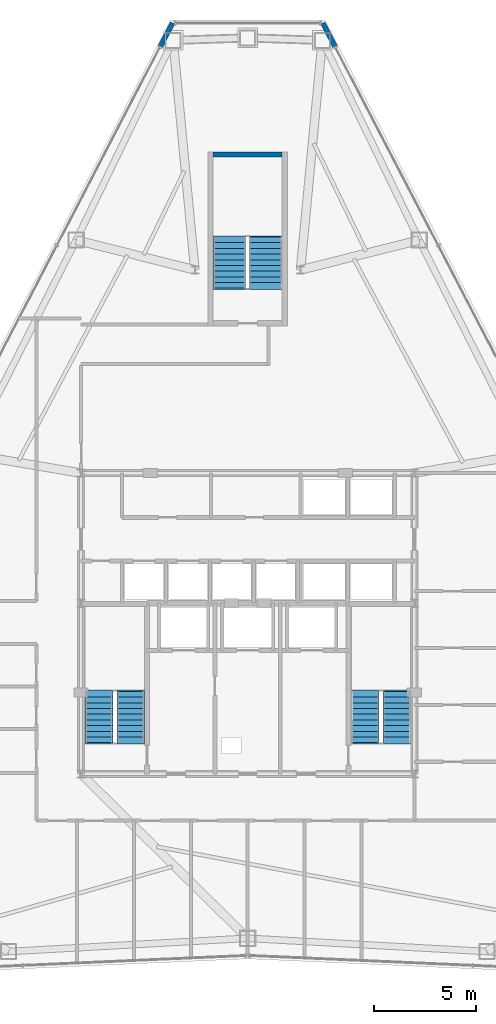
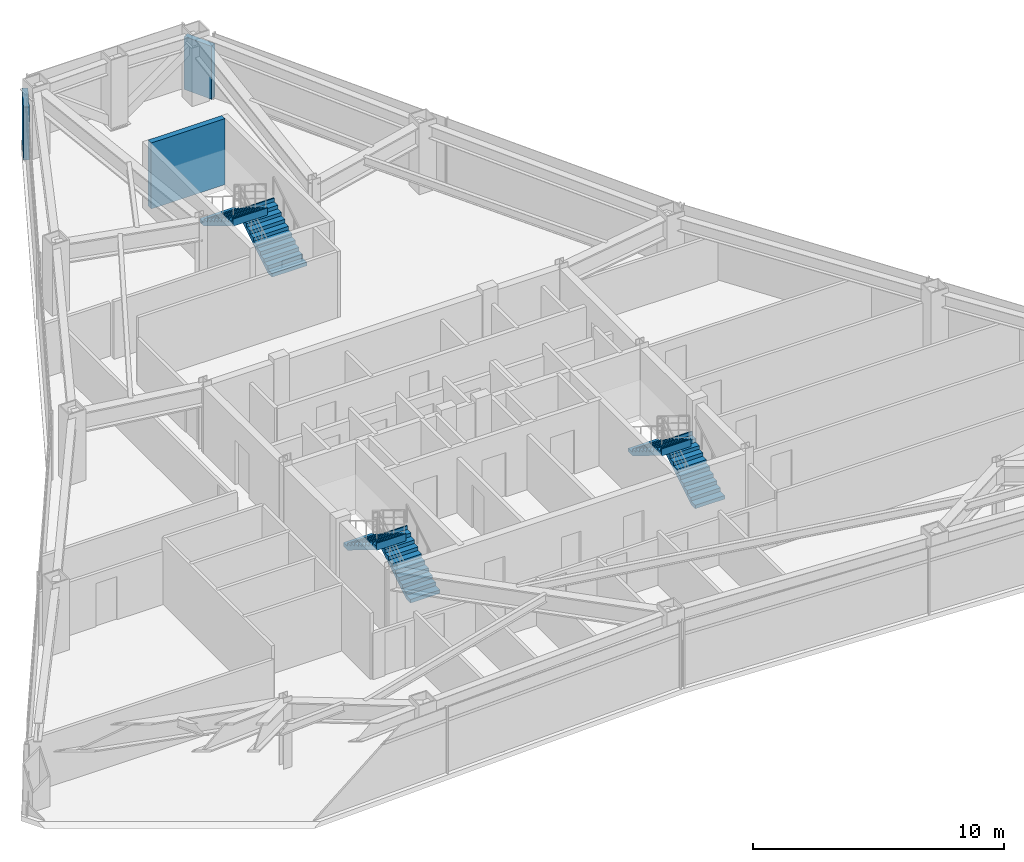
# One storey, part 12 of 13: 6 stair flights, 3 walls, 3 elements without a shape of their own.
"""IFC4 building model written with IfcOpenShell, lengths in metres."""

from ifc_helpers import new_model, si_unit, direction, frame, frame_2d, origin, place, context, subcontext, project, spatial, polyline, rectangle, outline, extrude, material, layer, layer_set, type_object, element, aggregate, save


model = new_model("IFC4")

# Units and contexts
model_context = context("Model", 3, precision=1e-05, world=origin(), true_north=direction((0.0, 1.0)))
body_context = subcontext(model_context, "Body", "Model", "MODEL_VIEW")
ifc_project = project(units=[si_unit("LENGTHUNIT", "METRE"), si_unit("AREAUNIT", "SQUARE_METRE"), si_unit("VOLUMEUNIT", "CUBIC_METRE"), si_unit("PLANEANGLEUNIT", "RADIAN"), si_unit("MASSUNIT", "GRAM", prefix="KILO")], contexts=[model_context])

# Site, building, storey
site_placement = place(None, origin())
site = spatial("IfcSite", under=ifc_project, at=site_placement, CompositionType="ELEMENT")
building_placement = place(site_placement, origin())
building = spatial("IfcBuilding", under=site, at=building_placement, Name="Varakhsha Concourse Tower", CompositionType="ELEMENT")
storey_placement = place(building_placement, frame((0.0, 0.0, 186.14990234375)))
storey = spatial("IfcBuildingStorey", under=building, at=storey_placement, Name="L53", CompositionType="ELEMENT", Elevation=186.14990234375)

# Walls
ifc_material = material(Name="Concrete fc 45 MPa", Category="concrete")
ifc_layer_1 = layer(ifc_material, 0.239990234375, Name="WL-EXT-CRN-240")
ifc_layer_set_1 = layer_set([ifc_layer_1], Name="Concrete fc 45 MPa")
wall_type_1 = type_object("IfcWallType", Name="WL-EXT-CRN-240", PredefinedType="SHEAR", material=ifc_layer_set_1)
for number, where, z_axis, x_axis, name in (
    (1, (36.30078125, 53.345458984375, 0.0), (0.0, 0.0, 1.0), (-0.460997519365, -0.8874014239, 0.0), "L53 Wind-Corner Shoulder Wall F2"),
    (2, (44.2978515625, 52.193115234375, 0.0), (0.0, 0.0, 1.0), (-0.460997519365, 0.8874014239, 0.0), "L53 Wind-Corner Shoulder Wall F9"),
):
    element("IfcWall", number, at=place(storey_placement, frame(where, z_axis=z_axis, x_axis=x_axis)), inside=storey, type_object=wall_type_1, Name=name, PredefinedType="SHEAR", context=body_context, shape_type="SweptSolid", body=[
        extrude(rectangle(XDim=1.298583984375, YDim=0.239990234375, at=frame_2d((0.6494140625, 0.0))), origin(), (0.0, 0.0, 1.0), 2.5830078125),
    ])
ifc_layer_2 = layer(ifc_material, 0.25, Name="WL-STAIR-250")
ifc_layer_set_2 = layer_set([ifc_layer_2], Name="Concrete fc 45 MPa")
wall_type_2 = type_object("IfcWallType", Name="WL-STAIR-250", PredefinedType="SHEAR", material=ifc_layer_set_2)
wall_placement = place(storey_placement, frame((38.300048828125, 46.875, 0.0), z_axis=(0.0, 0.0, 1.0), x_axis=(1.0, 0.0, 0.0)))
element("IfcWall", 3, at=wall_placement, inside=storey, type_object=wall_type_2, Name="L53 Wall SWALL-ST5-N-L53", PredefinedType="SHEAR", context=body_context, shape_type="SweptSolid", body=[
    extrude(rectangle(XDim=3.39990234375, YDim=0.25, at=frame_2d((1.699951171875, 0.0))), origin(), (0.0, 0.0, 1.0), 3.210205078125),
])

# Stair, stair flights
stair_type_1 = type_object("IfcStairType", Name="ST-DOGLEG-1360", PredefinedType="HALF_TURN_STAIR", material=ifc_material)
stair_1_placement = place(storey_placement, origin())
stair_1 = element("IfcStair", 4, at=stair_1_placement, inside=storey, type_object=stair_type_1, Name="L53 Protected Exit Stair ST1", PredefinedType="HALF_TURN_STAIR")
stair_flight_type_1 = type_object("IfcStairFlightType", Name="STF-1360-R1725", PredefinedType="STRAIGHT", material=ifc_material)
stair_flight_1_placement = place(storey_placement, frame((34.239990234375, 17.93994140625, 0.0), z_axis=(0.0, 0.0, 1.0), x_axis=(0.0, 1.0, 0.0)))
stair_flight_1 = element("IfcStairFlight", 5, at=stair_flight_1_placement, type_object=stair_flight_type_1, Name="ST1 flight 1", NumberOfRisers=10, NumberOfTreads=9, PredefinedType="STRAIGHT", RiserHeight=0.1725, TreadLength=0.28, context=body_context, shape_type="SweptSolid", body=[
    extrude(outline(polyline([(-0.06005859375, 0.0), (-0.06005859375, 0.172607421875), (0.0, 0.172607421875), (0.280029296875, 0.172607421875), (0.280029296875, 0.344970703125), (0.56005859375, 0.344970703125), (0.56005859375, 0.517578125), (0.840087890625, 0.517578125), (0.840087890625, 0.68994140625), (1.1201171875, 0.68994140625), (1.1201171875, 0.862548828125), (1.39990234375, 0.862548828125), (1.39990234375, 1.034912109375), (1.679931640625, 1.034912109375), (1.679931640625, 1.20751953125), (1.9599609375, 1.20751953125), (1.9599609375, 1.3798828125), (2.239990234375, 1.3798828125), (2.239990234375, 1.552490234375), (2.52001953125, 1.552490234375), (2.52001953125, 1.72509765625), (2.580078125, 1.72509765625), (2.580078125, 1.37646484375), (2.52001953125, 1.37646484375), (0.285888671875, 0.0), (-0.06005859375, 0.0)])), frame((0.0, 0.68017578125, 0.0), z_axis=(0.0, -1.0, 0.0), x_axis=(1.0, 0.0, 0.0)), (0.0, 0.0, 1.0), 1.360107421875),
])
stair_flight_2_placement = place(storey_placement, frame((32.679931640625, 20.4599609375, 1.72509765625), z_axis=(0.0, 0.0, 1.0), x_axis=(0.0, -1.0, 0.0)))
stair_flight_2 = element("IfcStairFlight", 6, at=stair_flight_2_placement, type_object=stair_flight_type_1, Name="ST1 flight 2", NumberOfRisers=10, NumberOfTreads=9, PredefinedType="STRAIGHT", RiserHeight=0.1725, TreadLength=0.28, context=body_context, shape_type="SweptSolid", body=[
    extrude(outline(polyline([(-0.06005859375, 0.0), (-0.06005859375, 0.172607421875), (0.0, 0.172607421875), (0.280029296875, 0.172607421875), (0.280029296875, 0.344970703125), (0.56005859375, 0.344970703125), (0.56005859375, 0.517578125), (0.840087890625, 0.517578125), (0.840087890625, 0.68994140625), (1.1201171875, 0.68994140625), (1.1201171875, 0.862548828125), (1.39990234375, 0.862548828125), (1.39990234375, 1.034912109375), (1.679931640625, 1.034912109375), (1.679931640625, 1.20751953125), (1.9599609375, 1.20751953125), (1.9599609375, 1.3798828125), (2.239990234375, 1.3798828125), (2.239990234375, 1.552490234375), (2.52001953125, 1.552490234375), (2.52001953125, 1.72509765625), (2.580078125, 1.72509765625), (2.580078125, 1.37646484375), (2.52001953125, 1.37646484375), (0.285888671875, 0.0), (-0.06005859375, 0.0)])), frame((0.0, 0.68017578125, 0.0), z_axis=(0.0, -1.0, 0.0), x_axis=(1.0, 0.0, 0.0)), (0.0, 0.0, 1.0), 1.360107421875),
])
aggregate(stair_1, [stair_flight_1, stair_flight_2])

stair_2_placement = place(storey_placement, origin())
stair_2 = element("IfcStair", 7, at=stair_2_placement, inside=storey, type_object=stair_type_1, Name="L53 Protected Exit Stair ST2", PredefinedType="HALF_TURN_STAIR")
stair_flight_3_placement = place(storey_placement, frame((47.340087890625, 17.93994140625, 0.0), z_axis=(0.0, 0.0, 1.0), x_axis=(0.0, 1.0, 0.0)))
stair_flight_3 = element("IfcStairFlight", 8, at=stair_flight_3_placement, type_object=stair_flight_type_1, Name="ST2 flight 1", NumberOfRisers=10, NumberOfTreads=9, PredefinedType="STRAIGHT", RiserHeight=0.1725, TreadLength=0.28, context=body_context, shape_type="SweptSolid", body=[
    extrude(outline(polyline([(-0.06005859375, 0.0), (-0.06005859375, 0.172607421875), (0.0, 0.172607421875), (0.280029296875, 0.172607421875), (0.280029296875, 0.344970703125), (0.56005859375, 0.344970703125), (0.56005859375, 0.517578125), (0.840087890625, 0.517578125), (0.840087890625, 0.68994140625), (1.1201171875, 0.68994140625), (1.1201171875, 0.862548828125), (1.39990234375, 0.862548828125), (1.39990234375, 1.034912109375), (1.679931640625, 1.034912109375), (1.679931640625, 1.20751953125), (1.9599609375, 1.20751953125), (1.9599609375, 1.3798828125), (2.239990234375, 1.3798828125), (2.239990234375, 1.552490234375), (2.52001953125, 1.552490234375), (2.52001953125, 1.72509765625), (2.580078125, 1.72509765625), (2.580078125, 1.37646484375), (2.52001953125, 1.37646484375), (0.285888671875, 0.0), (-0.06005859375, 0.0)])), frame((0.0, 0.68017578125, 0.0), z_axis=(0.0, -1.0, 0.0), x_axis=(1.0, 0.0, 0.0)), (0.0, 0.0, 1.0), 1.360107421875),
])
stair_flight_4_placement = place(storey_placement, frame((45.780029296875, 20.4599609375, 1.72509765625), z_axis=(0.0, 0.0, 1.0), x_axis=(0.0, -1.0, 0.0)))
stair_flight_4 = element("IfcStairFlight", 9, at=stair_flight_4_placement, type_object=stair_flight_type_1, Name="ST2 flight 2", NumberOfRisers=10, NumberOfTreads=9, PredefinedType="STRAIGHT", RiserHeight=0.1725, TreadLength=0.28, context=body_context, shape_type="SweptSolid", body=[
    extrude(outline(polyline([(-0.06005859375, 0.0), (-0.06005859375, 0.172607421875), (0.0, 0.172607421875), (0.280029296875, 0.172607421875), (0.280029296875, 0.344970703125), (0.56005859375, 0.344970703125), (0.56005859375, 0.517578125), (0.840087890625, 0.517578125), (0.840087890625, 0.68994140625), (1.1201171875, 0.68994140625), (1.1201171875, 0.862548828125), (1.39990234375, 0.862548828125), (1.39990234375, 1.034912109375), (1.679931640625, 1.034912109375), (1.679931640625, 1.20751953125), (1.9599609375, 1.20751953125), (1.9599609375, 1.3798828125), (2.239990234375, 1.3798828125), (2.239990234375, 1.552490234375), (2.52001953125, 1.552490234375), (2.52001953125, 1.72509765625), (2.580078125, 1.72509765625), (2.580078125, 1.37646484375), (2.52001953125, 1.37646484375), (0.285888671875, 0.0), (-0.06005859375, 0.0)])), frame((0.0, 0.68017578125, 0.0), z_axis=(0.0, -1.0, 0.0), x_axis=(1.0, 0.0, 0.0)), (0.0, 0.0, 1.0), 1.360107421875),
])
aggregate(stair_2, [stair_flight_3, stair_flight_4])

stair_type_2 = type_object("IfcStairType", Name="ST-DOGLEG-1600", PredefinedType="HALF_TURN_STAIR", material=ifc_material)
stair_3_placement = place(storey_placement, origin())
stair_3 = element("IfcStair", 10, at=stair_3_placement, inside=storey, type_object=stair_type_2, Name="L53 Protected Exit Stair ST5", PredefinedType="HALF_TURN_STAIR")
stair_flight_type_2 = type_object("IfcStairFlightType", Name="STF-1600-R1725", PredefinedType="STRAIGHT", material=ifc_material)
stair_flight_5_placement = place(storey_placement, frame((40.89990234375, 40.300048828125, 0.0), z_axis=(0.0, 0.0, 1.0), x_axis=(0.0, 1.0, 0.0)))
stair_flight_5 = element("IfcStairFlight", 11, at=stair_flight_5_placement, type_object=stair_flight_type_2, Name="ST5 flight 1", NumberOfRisers=10, NumberOfTreads=9, PredefinedType="STRAIGHT", RiserHeight=0.1725, TreadLength=0.28, context=body_context, shape_type="SweptSolid", body=[
    extrude(outline(polyline([(-0.06005859375, 0.0), (-0.06005859375, 0.172607421875), (0.0, 0.172607421875), (0.280029296875, 0.172607421875), (0.280029296875, 0.344970703125), (0.56005859375, 0.344970703125), (0.56005859375, 0.517578125), (0.840087890625, 0.517578125), (0.840087890625, 0.68994140625), (1.1201171875, 0.68994140625), (1.1201171875, 0.862548828125), (1.39990234375, 0.862548828125), (1.39990234375, 1.034912109375), (1.679931640625, 1.034912109375), (1.679931640625, 1.20751953125), (1.9599609375, 1.20751953125), (1.9599609375, 1.3798828125), (2.239990234375, 1.3798828125), (2.239990234375, 1.552490234375), (2.52001953125, 1.552490234375), (2.52001953125, 1.72509765625), (2.580078125, 1.72509765625), (2.580078125, 1.37646484375), (2.52001953125, 1.37646484375), (0.285888671875, 0.0), (-0.06005859375, 0.0)])), frame((0.0, 0.800048828125, 0.0), z_axis=(0.0, -1.0, 0.0), x_axis=(1.0, 0.0, 0.0)), (0.0, 0.0, 1.0), 1.60009765625),
])
stair_flight_6_placement = place(storey_placement, frame((39.10009765625, 42.820068359375, 1.72509765625), z_axis=(0.0, 0.0, 1.0), x_axis=(0.0, -1.0, 0.0)))
stair_flight_6 = element("IfcStairFlight", 12, at=stair_flight_6_placement, type_object=stair_flight_type_2, Name="ST5 flight 2", NumberOfRisers=10, NumberOfTreads=9, PredefinedType="STRAIGHT", RiserHeight=0.1725, TreadLength=0.28, context=body_context, shape_type="SweptSolid", body=[
    extrude(outline(polyline([(-0.06005859375, 0.0), (-0.06005859375, 0.172607421875), (0.0, 0.172607421875), (0.280029296875, 0.172607421875), (0.280029296875, 0.344970703125), (0.56005859375, 0.344970703125), (0.56005859375, 0.517578125), (0.840087890625, 0.517578125), (0.840087890625, 0.68994140625), (1.1201171875, 0.68994140625), (1.1201171875, 0.862548828125), (1.39990234375, 0.862548828125), (1.39990234375, 1.034912109375), (1.679931640625, 1.034912109375), (1.679931640625, 1.20751953125), (1.9599609375, 1.20751953125), (1.9599609375, 1.3798828125), (2.239990234375, 1.3798828125), (2.239990234375, 1.552490234375), (2.52001953125, 1.552490234375), (2.52001953125, 1.72509765625), (2.580078125, 1.72509765625), (2.580078125, 1.37646484375), (2.52001953125, 1.37646484375), (0.285888671875, 0.0), (-0.06005859375, 0.0)])), frame((0.0, 0.800048828125, 0.0), z_axis=(0.0, -1.0, 0.0), x_axis=(1.0, 0.0, 0.0)), (0.0, 0.0, 1.0), 1.60009765625),
])
aggregate(stair_3, [stair_flight_5, stair_flight_6])

save(model, "model.ifc")
